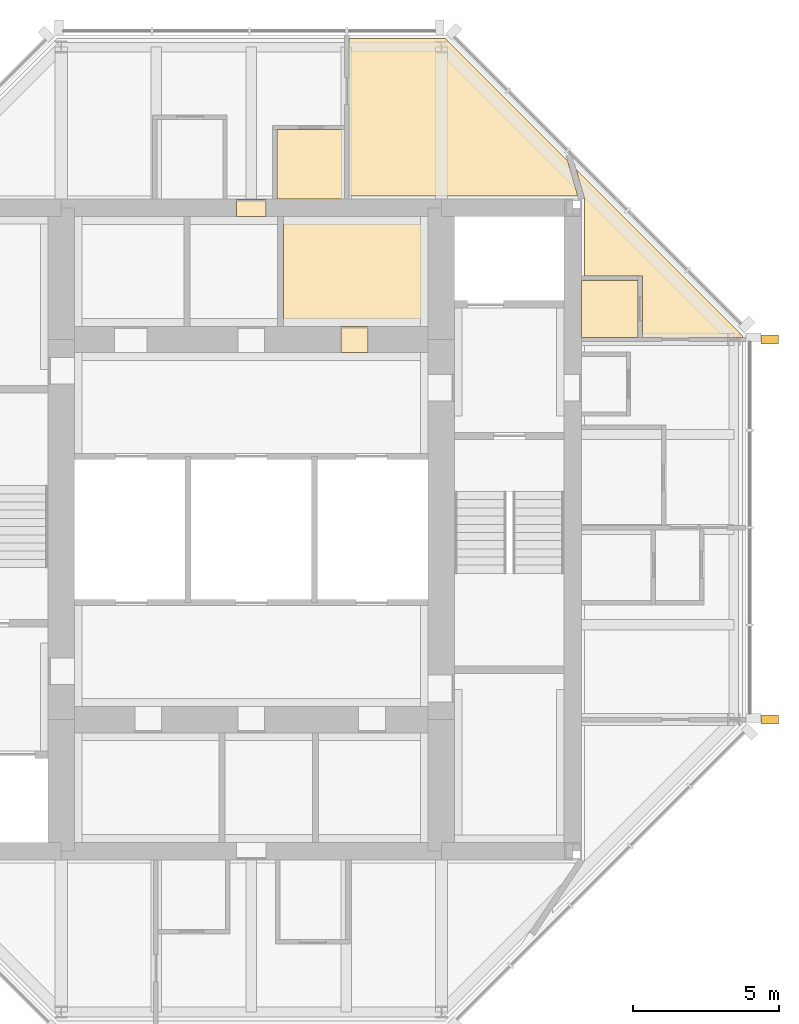
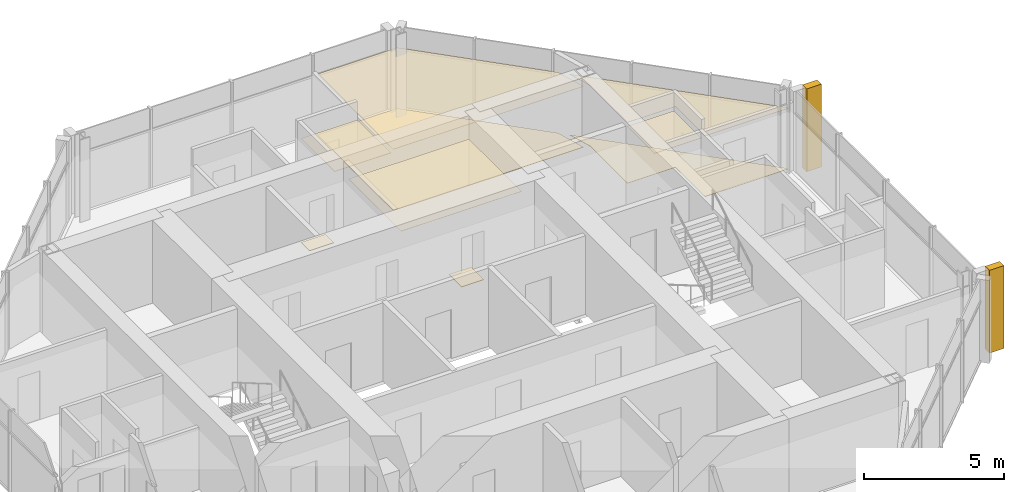
# One storey, part 9 of 9: 11 coverings.
"""IFC4 building model written with IfcOpenShell, lengths in metres."""

from ifc_helpers import new_model, si_unit, direction, frame, origin, origin_2d, place, context, subcontext, project, spatial, polyline, rectangle, outline, extrude, material, layer, layer_set, type_object, element, save


model = new_model("IFC4")

# Units and contexts
model_context = context("Model", 3, precision=1e-05, world=origin(), true_north=direction((0.0, 1.0)))
body_context = subcontext(model_context, "Body", "Model", "MODEL_VIEW")
ifc_project = project(units=[si_unit("LENGTHUNIT", "METRE"), si_unit("AREAUNIT", "SQUARE_METRE"), si_unit("VOLUMEUNIT", "CUBIC_METRE"), si_unit("PLANEANGLEUNIT", "RADIAN"), si_unit("MASSUNIT", "GRAM", prefix="KILO")], contexts=[model_context])

# Site, building, storey
site_placement = place(None, origin())
site = spatial("IfcSite", under=ifc_project, at=site_placement, CompositionType="ELEMENT")
building_placement = place(site_placement, origin())
building = spatial("IfcBuilding", under=site, at=building_placement, Name="Trevanion Tower", CompositionType="ELEMENT")
storey_placement = place(building_placement, frame((0.0, 0.0, 277.60009765625)))
storey = spatial("IfcBuildingStorey", under=building, at=storey_placement, Name="L68", CompositionType="ELEMENT", Elevation=277.60009765625)

# Coverings
ifc_material_1 = material(Name="Gypsum plasterboard on suspended metal furring", Category="gypsum")
ifc_layer_1 = layer(ifc_material_1, 0.012939453125)
ifc_layer_set_1 = layer_set([ifc_layer_1], Name="CL3 plasterboard ceiling 13")
covering_type_1 = type_object("IfcCoveringType", Name="CL3 plasterboard ceiling 13", PredefinedType="CEILING", material=ifc_layer_set_1)
covering_1_placement = place(storey_placement, frame((0.0, 0.0, 2.56689453125)))
element("IfcCovering", 1, at=covering_1_placement, inside=storey, type_object=covering_type_1, Name="CL3 L68-RSN", PredefinedType="CEILING", context=body_context, shape_type="SweptSolid", body=[
    extrude(outline(polyline([(6.050048828125, 6.949951171875), (6.050048828125, 10.699951171875), (1.10009765625, 10.699951171875), (1.10009765625, 6.949951171875), (6.050048828125, 6.949951171875)])), origin(), (0.0, 0.0, 1.0), 0.012939453125),
])
covering_2_placement = place(storey_placement, frame((0.0, 0.0, 2.640869140625)))
element("IfcCovering", 2, at=covering_2_placement, inside=storey, type_object=covering_type_1, Name="CL3 L68-REB2", PredefinedType="CEILING", context=body_context, shape_type="SweptSolid", body=[
    extrude(outline(polyline([(13.375, 6.574951171875), (13.375, 8.675048828125), (11.39990234375, 8.675048828125), (11.39990234375, 11.314208984375), (11.110595703125, 12.313720703125), (16.800048828125, 6.624267578125), (16.800048828125, 6.574951171875), (13.375, 6.574951171875)])), origin(), (0.0, 0.0, 1.0), 0.012939453125),
])
covering_3_placement = place(storey_placement, frame((0.0, 0.0, 2.640869140625)))
element("IfcCovering", 3, at=covering_3_placement, inside=storey, type_object=covering_type_1, Name="CL3 L68-RNB", PredefinedType="CEILING", context=body_context, shape_type="SweptSolid", body=[
    extrude(outline(polyline([(10.817626953125, 12.606689453125), (11.1669921875, 11.39990234375), (3.341064453125, 11.39990234375), (3.341064453125, 16.800048828125), (6.624267578125, 16.800048828125), (10.817626953125, 12.606689453125)])), origin(), (0.0, 0.0, 1.0), 0.012939453125),
])
ifc_material_2 = material(Name="Moisture-resistant gypsum board on suspended metal furring", Category="gypsum")
ifc_layer_2 = layer(ifc_material_2, 0.01611328125)
ifc_layer_set_2 = layer_set([ifc_layer_2], Name="CL4 moisture-resistant board ceiling 16")
covering_type_2 = type_object("IfcCoveringType", Name="CL4 moisture-resistant board ceiling 16", PredefinedType="CEILING", material=ifc_layer_set_2)
covering_4_placement = place(storey_placement, frame((0.0, 0.0, 2.599853515625)))
element("IfcCovering", 4, at=covering_4_placement, inside=storey, type_object=covering_type_2, Name="CL4 L68-REW", PredefinedType="CEILING", context=body_context, shape_type="SweptSolid", body=[
    extrude(outline(polyline([(13.22509765625, 6.574951171875), (13.22509765625, 8.52490234375), (11.300048828125, 8.52490234375), (11.300048828125, 6.574951171875), (13.22509765625, 6.574951171875)])), origin(), (0.0, 0.0, 1.0), 0.01611328125),
])
covering_5_placement = place(storey_placement, frame((0.0, 0.0, 2.599853515625)))
element("IfcCovering", 5, at=covering_5_placement, inside=storey, type_object=covering_type_2, Name="CL4 L68-RNT", PredefinedType="CEILING", context=body_context, shape_type="SweptSolid", body=[
    extrude(outline(polyline([(3.19091796875, 13.675048828125), (0.875, 13.675048828125), (0.875, 11.300048828125), (3.19091796875, 11.300048828125), (3.19091796875, 13.675048828125)])), origin(), (0.0, 0.0, 1.0), 0.01611328125),
])
ifc_material_3 = material(Name="Cast bronze fin on aluminium carrier", Category="aluminium")
covering_type_3 = type_object("IfcCoveringType", Name="F1 bronze fin", PredefinedType="CLADDING", material=ifc_material_3)
for number, where, z_axis, x_axis, name in (
    (6, (17.72509765625, -6.5, -0.190185546875), (0.0, 0.0, 1.0), (0.0, 1.0, 0.0), "F1 L68 east -6.5"),
    (7, (17.72509765625, 6.5, -0.190185546875), (0.0, 0.0, 1.0), (0.0, 1.0, 0.0), "F1 L68 east +6.5"),
):
    element("IfcCovering", number, at=place(storey_placement, frame(where, z_axis=z_axis, x_axis=x_axis)), inside=storey, type_object=covering_type_3, Name=name, PredefinedType="CLADDING", context=body_context, shape_type="SweptSolid", body=[
        extrude(rectangle(XDim=0.300048828125, YDim=0.60009765625, at=origin_2d()), origin(), (0.0, 0.0, 1.0), 3.60009765625),
    ])
ifc_material_4 = material(Name="Terrazzo, brass divider strips", Category="stone")
ifc_layer_3 = layer(ifc_material_4, 0.02001953125)
ifc_layer_set_3 = layer_set([ifc_layer_3], Name="FF1 terrazzo flooring")
covering_type_4 = type_object("IfcCoveringType", Name="FF1 terrazzo flooring", PredefinedType="FLOORING", material=ifc_layer_set_3)
covering_6_placement = place(storey_placement, origin())
element("IfcCovering", 8, at=covering_6_placement, inside=storey, type_object=covering_type_4, Name="FF1 threshold 68-018", PredefinedType="FLOORING", context=body_context, shape_type="SweptSolid", body=[
    extrude(outline(polyline([(0.5, 11.300048828125), (-0.5, 11.300048828125), (-0.5, 10.699951171875), (0.5, 10.699951171875), (0.5, 11.300048828125)])), origin(), (0.0, 0.0, 1.0), 0.02001953125),
])
covering_7_placement = place(storey_placement, origin())
element("IfcCovering", 9, at=covering_7_placement, inside=storey, type_object=covering_type_4, Name="FF1 threshold 68-020", PredefinedType="FLOORING", context=body_context, shape_type="SweptSolid", body=[
    extrude(outline(polyline([(3.982421875, 6.949951171875), (3.0673828125, 6.949951171875), (3.0673828125, 6.050048828125), (3.982421875, 6.050048828125), (3.982421875, 6.949951171875)])), origin(), (0.0, 0.0, 1.0), 0.02001953125),
])
ifc_material_5 = material(Name="Engineered oak", Category="wood")
ifc_layer_4 = layer(ifc_material_5, 0.014892578125)
ifc_layer_set_4 = layer_set([ifc_layer_4], Name="FF3 timber flooring")
covering_type_5 = type_object("IfcCoveringType", Name="FF3 timber flooring", PredefinedType="FLOORING", material=ifc_layer_set_4)
covering_8_placement = place(storey_placement, origin())
element("IfcCovering", 10, at=covering_8_placement, inside=storey, type_object=covering_type_5, Name="FF3 L68-REB2", PredefinedType="FLOORING", context=body_context, shape_type="SweptSolid", body=[
    extrude(outline(polyline([(13.375, 6.574951171875), (13.375, 8.675048828125), (11.39990234375, 8.675048828125), (11.39990234375, 11.314208984375), (11.110595703125, 12.313720703125), (16.800048828125, 6.624267578125), (16.800048828125, 6.574951171875), (13.375, 6.574951171875)])), origin(), (0.0, 0.0, 1.0), 0.014892578125),
])
covering_9_placement = place(storey_placement, origin())
element("IfcCovering", 11, at=covering_9_placement, inside=storey, type_object=covering_type_5, Name="FF3 L68-RNB", PredefinedType="FLOORING", context=body_context, shape_type="SweptSolid", body=[
    extrude(outline(polyline([(10.817626953125, 12.606689453125), (11.1669921875, 11.39990234375), (3.341064453125, 11.39990234375), (3.341064453125, 16.800048828125), (6.624267578125, 16.800048828125), (10.817626953125, 12.606689453125)])), origin(), (0.0, 0.0, 1.0), 0.014892578125),
])

save(model, "model.ifc")
